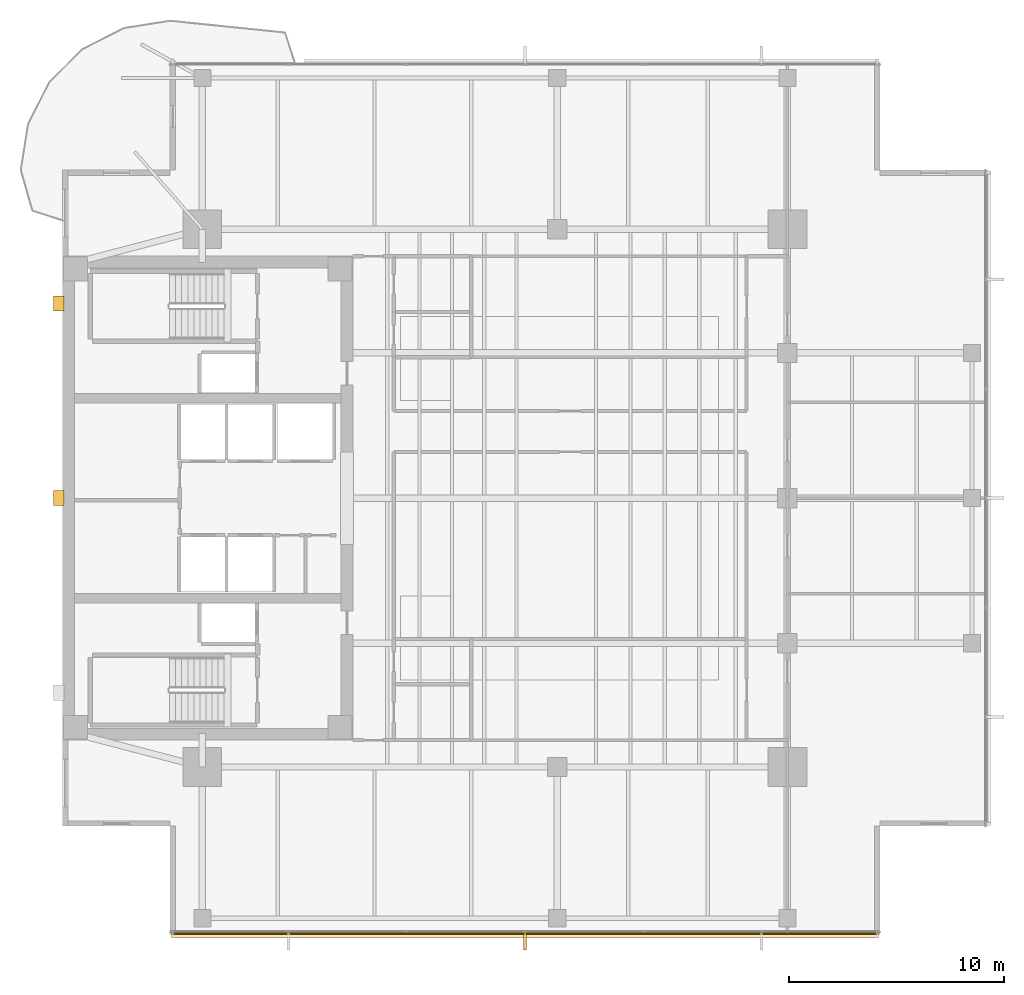
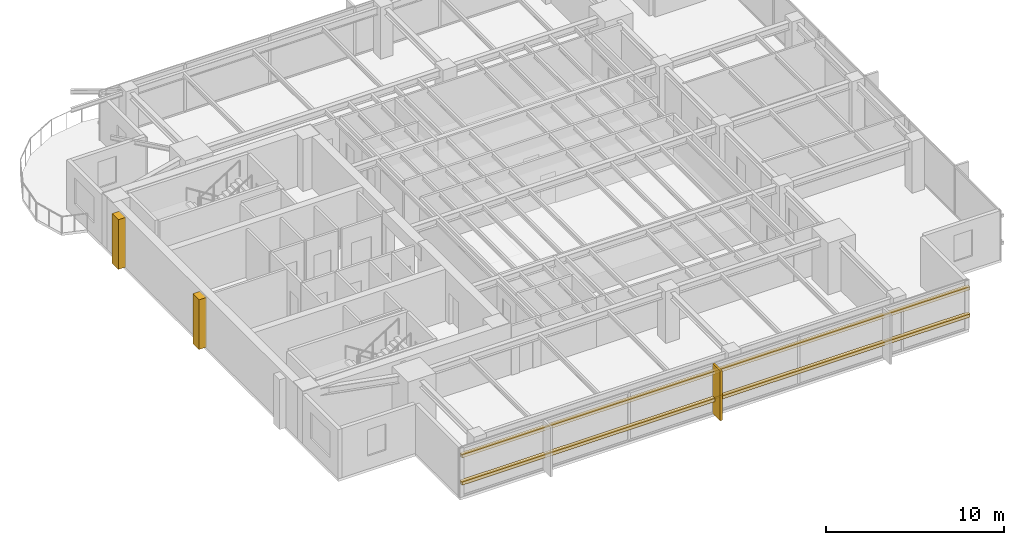
# One storey, part 12 of 14: 5 coverings, 2 shading devices.
"""IFC4 building model written with IfcOpenShell, lengths in metres."""

from ifc_helpers import new_model, si_unit, direction, frame, origin, origin_2d, place, context, subcontext, project, spatial, polyline, rectangle, outline, extrude, material, layer, layer_set, material_profile, profile_set, type_object, element, save


model = new_model("IFC4")

# Units and contexts
model_context = context("Model", 3, precision=1e-05, world=origin(), true_north=direction((0.0, 1.0)))
body_context = subcontext(model_context, "Body", "Model", "MODEL_VIEW")
ifc_project = project(units=[si_unit("LENGTHUNIT", "METRE"), si_unit("AREAUNIT", "SQUARE_METRE"), si_unit("VOLUMEUNIT", "CUBIC_METRE"), si_unit("PLANEANGLEUNIT", "RADIAN"), si_unit("MASSUNIT", "GRAM", prefix="KILO")], contexts=[model_context])

# Site, building, storey
site_placement = place(None, origin())
site = spatial("IfcSite", under=ifc_project, at=site_placement, CompositionType="ELEMENT")
building_placement = place(site_placement, origin())
building = spatial("IfcBuilding", under=site, at=building_placement, Name="Kinhvarn Gate Tower", CompositionType="ELEMENT")
storey_placement = place(building_placement, frame((0.0, 0.0, 202.25)))
storey = spatial("IfcBuildingStorey", under=building, at=storey_placement, Name="L53", CompositionType="ELEMENT", Elevation=202.25)

# Coverings
ifc_material_1 = material(Name="Fired architectural terracotta", Category="masonry")
ifc_layer_1 = layer(ifc_material_1, 0.239990234375)
ifc_layer_set_1 = layer_set([ifc_layer_1], Name="Fired architectural terracotta")
covering_type_1 = type_object("IfcCoveringType", Name="COV-BAG-220", PredefinedType="CLADDING", material=ifc_layer_set_1)
for number, where, name in (
    (1, (0.0, 0.0, 0.93994140625), "Terracotta Horizontal Sunscreen Band TBG-220 (L53)"),
    (2, (0.0, 0.0, 2.81005859375), "Terracotta Horizontal Sunscreen Band TBG-220 (L53)"),
):
    element("IfcCovering", number, at=place(storey_placement, frame(where)), inside=storey, type_object=covering_type_1, Name=name, PredefinedType="CLADDING", context=body_context, shape_type="SweptSolid", body=[
        extrude(outline(polyline([(9.5400390625, 5.070068359375), (42.4599609375, 5.070068359375), (42.4599609375, 4.830078125), (9.5400390625, 4.830078125), (9.5400390625, 5.070068359375)])), origin(), (0.0, 0.0, 1.0), 0.219970703125),
    ])
ifc_layer_2 = layer(ifc_material_1, 0.139892578125)
ifc_layer_set_2 = layer_set([ifc_layer_2], Name="Fired architectural terracotta")
covering_type_2 = type_object("IfcCoveringType", Name="COV-FIN-850", PredefinedType="CLADDING", material=ifc_layer_set_2)
covering_1_placement = place(storey_placement, frame((0.0, 0.0, -0.02001953125)))
element("IfcCovering", 3, at=covering_1_placement, inside=storey, type_object=covering_type_2, Name="Vertical Terracotta Expressive Fin TFN-850 (L53)", PredefinedType="CLADDING", context=body_context, shape_type="SweptSolid", body=[
    extrude(outline(polyline([(25.929931640625, 5.080078125), (26.070068359375, 5.080078125), (26.070068359375, 4.22998046875), (25.929931640625, 4.22998046875), (25.929931640625, 5.080078125)])), origin(), (0.0, 0.0, 1.0), 3.409912109375),
])
ifc_material_2 = material(Name="Precast white architectural concrete C40/50", Category="concrete")
ifc_layer_3 = layer(ifc_material_2, 0.47998046875)
ifc_layer_set_3 = layer_set([ifc_layer_3], Name="Precast white architectural concrete C40/50")
covering_type_3 = type_object("IfcCoveringType", Name="COV-RIB-450", PredefinedType="CLADDING", material=ifc_layer_set_3)
covering_2_placement = place(storey_placement, frame((0.0, 0.0, -0.02001953125)))
element("IfcCovering", 4, at=covering_2_placement, inside=storey, type_object=covering_type_3, Name="West Core Sculptural Concrete Relief Rib CRB-450 (L53)", PredefinedType="CLADDING", context=body_context, shape_type="SweptSolid", body=[
    extrude(outline(polyline([(4.080078125, 24.89990234375), (4.56005859375, 24.89990234375), (4.56005859375, 25.60009765625), (4.080078125, 25.60009765625), (4.080078125, 24.89990234375)])), origin(), (0.0, 0.0, 1.0), 3.409912109375),
])
covering_3_placement = place(storey_placement, frame((0.0, 0.0, -0.02001953125)))
element("IfcCovering", 5, at=covering_3_placement, inside=storey, type_object=covering_type_3, Name="West Core Sculptural Concrete Relief Rib CRB-450 (L53)", PredefinedType="CLADDING", context=body_context, shape_type="SweptSolid", body=[
    extrude(outline(polyline([(4.080078125, 33.949951171875), (4.56005859375, 33.949951171875), (4.56005859375, 34.64990234375), (4.080078125, 34.64990234375), (4.080078125, 33.949951171875)])), origin(), (0.0, 0.0, 1.0), 3.409912109375),
])

# Shading devices
ifc_material_profile = material_profile(ifc_material_1, rectangle(XDim=0.050048828125, YDim=0.1201171875, at=origin_2d()), Name="TC 50x120")
ifc_profile_set = profile_set([ifc_material_profile], Name="Fired architectural terracotta")
shading_device_type = type_object("IfcShadingDeviceType", Name="SHD-BAG-140", PredefinedType="USERDEFINED", material=ifc_profile_set)
for number, where, z_axis, x_axis, name in (
    (6, (9.5400390625, 5.0, 1.050048828125), (1.0, 0.0, 0.0), (0.0, 1.0, 0.0), "Upper Tower Terracotta Baguette Screen Rod 50x120 mm (L53)"),
    (7, (9.5400390625, 5.0, 2.919921875), (1.0, 0.0, 0.0), (0.0, 1.0, 0.0), "Upper Tower Terracotta Baguette Screen Rod 50x120 mm (L53)"),
):
    element("IfcShadingDevice", number, at=place(storey_placement, frame(where, z_axis=z_axis, x_axis=x_axis)), inside=storey, type_object=shading_device_type, Name=name, ObjectType="BAGUETTE", PredefinedType="USERDEFINED", context=body_context, shape_type="SweptSolid", body=[
        extrude(rectangle(XDim=0.050048828125, YDim=0.1201171875, at=origin_2d()), origin(), (0.0, 0.0, 1.0), 32.919921875),
    ])

save(model, "model.ifc")
